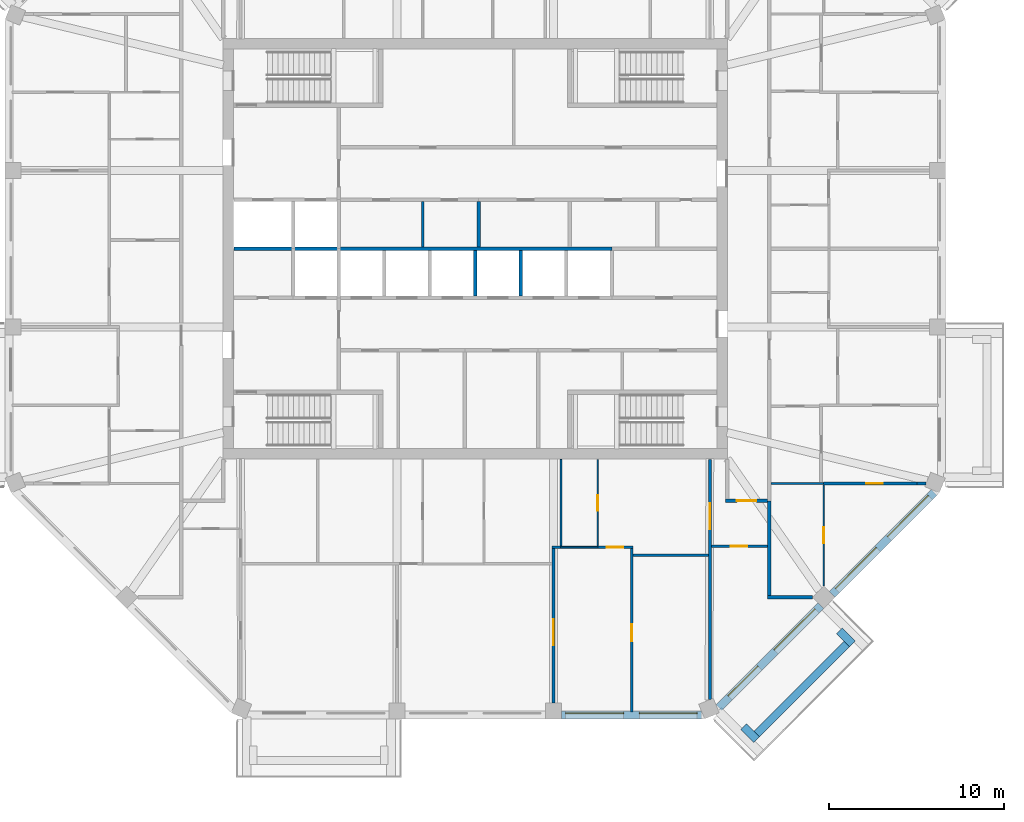
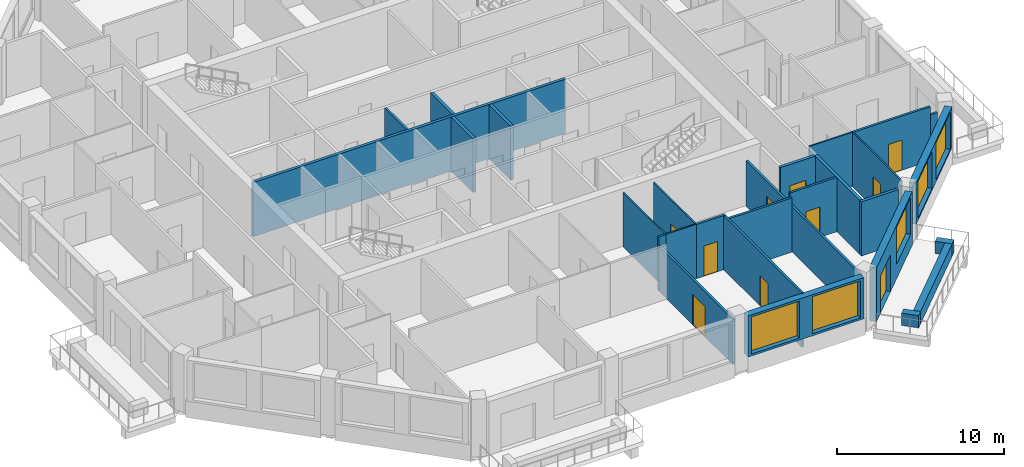
# One storey, part 5 of 11: 28 walls, 10 doors, 5 windows, 15 openings.
"""IFC4 building model written with IfcOpenShell, lengths in metres."""

from ifc_helpers import new_model, si_unit, direction, frame, frame_2d, origin, place, context, subcontext, project, spatial, rectangle, extrude, material, layer, layer_set, type_object, element, fill, save


model = new_model("IFC4")

# Units and contexts
model_context = context("Model", 3, precision=1e-05, world=origin(), true_north=direction((0.0, 1.0)))
body_context = subcontext(model_context, "Body", "Model", "MODEL_VIEW")
ifc_project = project(units=[si_unit("LENGTHUNIT", "METRE"), si_unit("AREAUNIT", "SQUARE_METRE"), si_unit("VOLUMEUNIT", "CUBIC_METRE"), si_unit("PLANEANGLEUNIT", "RADIAN"), si_unit("MASSUNIT", "GRAM", prefix="KILO")], contexts=[model_context])

# Site, building, storey
site_placement = place(None, origin())
site = spatial("IfcSite", under=ifc_project, at=site_placement, CompositionType="ELEMENT")
building_placement = place(site_placement, origin())
building = spatial("IfcBuilding", under=site, at=building_placement, Name="Msitu Wima Residences", CompositionType="ELEMENT")
storey_placement = place(building_placement, frame((0.0, 0.0, 264.300048828125)))
storey = spatial("IfcBuildingStorey", under=building, at=storey_placement, Name="L61", CompositionType="ELEMENT", Elevation=264.300048828125)

# Walls
ifc_material_1 = material(Name="Facing brick")
ifc_layer_1 = layer(ifc_material_1, 0.06494140625, Name="Facing brick")
ifc_material_2 = material(Name="Concrete C40/50", Category="concrete")
ifc_layer_2 = layer(ifc_material_2, 0.156005859375, Name="Concrete C40/50")
ifc_material_3 = material(Name="Waterproofing membrane")
ifc_layer_3 = layer(ifc_material_3, 0.00390625, Name="Waterproofing membrane")
ifc_material_4 = material(Name="Planting soil and planting")
ifc_layer_4 = layer(ifc_material_4, 0.22509765625, Name="Planting soil and planting")
ifc_layer_set_1 = layer_set([ifc_layer_1, ifc_layer_2, ifc_layer_3, ifc_layer_4], Name="Concrete C40/50")
wall_type_1 = type_object("IfcWallType", Name="Balcony planter PLANTER PL450", PredefinedType="USERDEFINED", material=ifc_layer_set_1)
wall_1_placement = place(storey_placement, frame((16.0751953125, -27.725830078125, 0.0), z_axis=(0.0, 0.0, 1.0), x_axis=(0.707106781187, 0.707106781187, 0.0)))
element("IfcWall", 1, at=wall_1_placement, inside=storey, type_object=wall_type_1, Name="Balcony planter SE0 L61", ObjectType="PLANTER", PredefinedType="USERDEFINED", context=body_context, shape_type="SweptSolid", body=[
    extrude(rectangle(XDim=7.288330078125, YDim=0.449951171875, at=frame_2d((3.64404296875, 0.0))), origin(), (0.0, 0.0, 1.0), 0.89990234375),
])
for number, where, z_axis, x_axis, name in (
    (2, (15.332763671875, -27.301513671875, 0.0), (0.0, 0.0, 1.0), (0.707106781187, -0.707106781187, 0.0), "Balcony planter SE0 L61"),
    (3, (20.804443359375, -21.829833984375, 0.0), (0.0, 0.0, 1.0), (0.707106781187, -0.707106781187, 0.0), "Balcony planter SE0 L61"),
):
    element("IfcWall", number, at=place(storey_placement, frame(where, z_axis=z_axis, x_axis=x_axis)), inside=storey, type_object=wall_type_1, Name=name, ObjectType="PLANTER", PredefinedType="USERDEFINED", context=body_context, shape_type="SweptSolid", body=[
        extrude(rectangle(XDim=1.050048828125, YDim=0.449951171875, at=frame_2d((0.52490234375, 0.0))), origin(), (0.0, 0.0, 1.0), 0.89990234375),
    ])

# Wall, openings, windows
ifc_material_5 = material(Name="Brick (red buff mix)", Category="masonry")
ifc_layer_5 = layer(ifc_material_5, 0.449951171875)
ifc_layer_set_2 = layer_set([ifc_layer_5], Name="Brick (red buff mix)")
wall_type_2 = type_object("IfcWallType", Name="Brick infill wall BW450", PredefinedType="SOLIDWALL", material=ifc_layer_set_2)
wall_2_placement = place(storey_placement, frame((4.918701171875, -26.625, 0.89990234375), z_axis=(0.0, 0.0, 1.0), x_axis=(1.0, 0.0, 0.0)))
wall_2 = element("IfcWall", 4, at=wall_2_placement, inside=storey, type_object=wall_type_2, Name="Brick infill wall L61 S2", PredefinedType="SOLIDWALL", context=body_context, shape_type="SweptSolid", body=[
    extrude(rectangle(XDim=8.0, YDim=0.449951171875, at=frame_2d((4.0, 0.0))), origin(), (0.0, 0.0, 1.0), 3.0),
])
opening_1_placement = place(wall_2_placement, frame((0.25, 0.0, 0.14990234375)))
opening_1 = element("IfcOpeningElement", 5, at=opening_1_placement, cuts=wall_2, Name="Opening W60-62.020", PredefinedType="OPENING", context=body_context, shape_type="SweptSolid", body=[
    extrude(rectangle(XDim=3.300048828125, YDim=2.699951171875, at=frame_2d((1.64990234375, 1.35009765625))), frame((0.0, 0.23486328125, 0.0), z_axis=(0.0, -1.0, 0.0), x_axis=(1.0, 0.0, 0.0)), (0.0, 0.0, 1.0), 0.469970703125),
])
opening_2_placement = place(wall_2_placement, frame((4.4501953125, 0.0, 0.14990234375)))
opening_2 = element("IfcOpeningElement", 6, at=opening_2_placement, cuts=wall_2, Name="Opening W60-62.021", PredefinedType="OPENING", context=body_context, shape_type="SweptSolid", body=[
    extrude(rectangle(XDim=3.300048828125, YDim=2.699951171875, at=frame_2d((1.64990234375, 1.35009765625))), frame((0.0, 0.23486328125, 0.0), z_axis=(0.0, -1.0, 0.0), x_axis=(1.0, 0.0, 0.0)), (0.0, 0.0, 1.0), 0.469970703125),
])
ifc_material_6 = material(Name="Anodised aluminium, bronze finish, clear low-emissivity double glazing", Category="aluminium")
window_type = type_object("IfcWindowType", Name="Window W3300x2700", PartitioningType="DOUBLE_PANEL_VERTICAL", PredefinedType="WINDOW", material=ifc_material_6)
window_1_placement = place(opening_1_placement, origin())
window_1 = element("IfcWindow", 7, at=window_1_placement, inside=storey, type_object=window_type, Name="Window L61 S2.1", OverallHeight=2.699951171875, OverallWidth=3.300048828125, PartitioningType="SINGLE_PANEL", PredefinedType="WINDOW", context=body_context, shape_type="SweptSolid", body=[
    extrude(rectangle(XDim=3.300048828125, YDim=2.699951171875, at=frame_2d((1.64990234375, 1.35009765625))), frame((0.0, 0.135009765625, 0.0), z_axis=(0.0, -1.0, 0.0), x_axis=(1.0, 0.0, 0.0)), (0.0, 0.0, 1.0), 0.06005859375),
])
fill(opening_1, window_1)
window_2_placement = place(opening_2_placement, origin())
window_2 = element("IfcWindow", 8, at=window_2_placement, inside=storey, type_object=window_type, Name="Window L61 S2.2", OverallHeight=2.699951171875, OverallWidth=3.300048828125, PartitioningType="SINGLE_PANEL", PredefinedType="WINDOW", context=body_context, shape_type="SweptSolid", body=[
    extrude(rectangle(XDim=3.300048828125, YDim=2.699951171875, at=frame_2d((1.64990234375, 1.35009765625))), frame((0.0, 0.135009765625, 0.0), z_axis=(0.0, -1.0, 0.0), x_axis=(1.0, 0.0, 0.0)), (0.0, 0.0, 1.0), 0.06005859375),
])
fill(opening_2, window_2)

# Wall, openings, door, window
wall_3_placement = place(storey_placement, frame((13.909423828125, -26.214599609375, 0.0), z_axis=(0.0, 0.0, 1.0), x_axis=(0.707106781187, 0.707106781187, 0.0)))
wall_3 = element("IfcWall", 9, at=wall_3_placement, inside=storey, type_object=wall_type_2, Name="Brick infill wall L61 SE0", PredefinedType="SOLIDWALL", context=body_context, shape_type="SweptSolid", body=[
    extrude(rectangle(XDim=8.251220703125, YDim=0.449951171875, at=frame_2d((4.12548828125, 0.0))), origin(), (0.0, 0.0, 1.0), 3.89990234375),
])
opening_3_placement = place(wall_3_placement, frame((0.86279296875, 0.0, 0.0)))
opening_3 = element("IfcOpeningElement", 10, at=opening_3_placement, cuts=wall_3, Name="Opening D60-62.006", PredefinedType="OPENING", context=body_context, shape_type="SweptSolid", body=[
    extrude(rectangle(XDim=2.39990234375, YDim=2.699951171875, at=frame_2d((1.199951171875, 1.35009765625))), frame((0.0, 0.23486328125, 0.0), z_axis=(0.0, -1.0, 0.0), x_axis=(1.0, 0.0, 0.0)), (0.0, 0.0, 1.0), 0.469970703125),
])
opening_4_placement = place(wall_3_placement, frame((4.57568359375, 0.0, 1.050048828125)))
opening_4 = element("IfcOpeningElement", 11, at=opening_4_placement, cuts=wall_3, Name="Opening W60-62.022", PredefinedType="OPENING", context=body_context, shape_type="SweptSolid", body=[
    extrude(rectangle(XDim=3.300048828125, YDim=2.699951171875, at=frame_2d((1.64990234375, 1.35009765625))), frame((0.0, 0.23486328125, 0.0), z_axis=(0.0, -1.0, 0.0), x_axis=(1.0, 0.0, 0.0)), (0.0, 0.0, 1.0), 0.469970703125),
])
door_type_1 = type_object("IfcDoorType", Name="Balcony door D2400x2700", OperationType="SLIDING_TO_LEFT", PredefinedType="DOOR", material=ifc_material_6)
door_1_placement = place(opening_3_placement, origin())
door_1 = element("IfcDoor", 12, at=door_1_placement, inside=storey, type_object=door_type_1, Name="Balcony door L61 SE0", OperationType="SINGLE_SWING_LEFT", OverallHeight=2.699951171875, OverallWidth=2.39990234375, PredefinedType="DOOR", context=body_context, shape_type="SweptSolid", body=[
    extrude(rectangle(XDim=2.39990234375, YDim=2.699951171875, at=frame_2d((1.199951171875, 1.35009765625))), frame((0.0, 0.1298828125, 0.0), z_axis=(0.0, -1.0, 0.0), x_axis=(1.0, 0.0, 0.0)), (0.0, 0.0, 1.0), 0.050048828125),
])
fill(opening_3, door_1)
window_3_placement = place(opening_4_placement, origin())
window_3 = element("IfcWindow", 13, at=window_3_placement, inside=storey, type_object=window_type, Name="Window L61 SE0.2", OverallHeight=2.699951171875, OverallWidth=3.300048828125, PartitioningType="SINGLE_PANEL", PredefinedType="WINDOW", context=body_context, shape_type="SweptSolid", body=[
    extrude(rectangle(XDim=3.300048828125, YDim=2.699951171875, at=frame_2d((1.64990234375, 1.35009765625))), frame((0.0, 0.135009765625, 0.0), z_axis=(0.0, -1.0, 0.0), x_axis=(1.0, 0.0, 0.0)), (0.0, 0.0, 1.0), 0.06005859375),
])
fill(opening_4, window_3)

# Wall, openings, windows
wall_4_placement = place(storey_placement, frame((20.380126953125, -19.743896484375, 0.89990234375), z_axis=(0.0, 0.0, 1.0), x_axis=(0.707106781187, 0.707106781187, 0.0)))
wall_4 = element("IfcWall", 14, at=wall_4_placement, inside=storey, type_object=wall_type_2, Name="Brick infill wall L61 SE1", PredefinedType="SOLIDWALL", context=body_context, shape_type="SweptSolid", body=[
    extrude(rectangle(XDim=8.251220703125, YDim=0.449951171875, at=frame_2d((4.12548828125, 0.0))), origin(), (0.0, 0.0, 1.0), 3.0),
])
opening_5_placement = place(wall_4_placement, frame((0.37548828125, 0.0, 0.14990234375)))
opening_5 = element("IfcOpeningElement", 15, at=opening_5_placement, cuts=wall_4, Name="Opening W60-62.023", PredefinedType="OPENING", context=body_context, shape_type="SweptSolid", body=[
    extrude(rectangle(XDim=3.300048828125, YDim=2.699951171875, at=frame_2d((1.64990234375, 1.35009765625))), frame((0.0, 0.23486328125, 0.0), z_axis=(0.0, -1.0, 0.0), x_axis=(1.0, 0.0, 0.0)), (0.0, 0.0, 1.0), 0.469970703125),
])
opening_6_placement = place(wall_4_placement, frame((4.57568359375, 0.0, 0.14990234375)))
opening_6 = element("IfcOpeningElement", 16, at=opening_6_placement, cuts=wall_4, Name="Opening W60-62.024", PredefinedType="OPENING", context=body_context, shape_type="SweptSolid", body=[
    extrude(rectangle(XDim=3.300048828125, YDim=2.699951171875, at=frame_2d((1.64990234375, 1.35009765625))), frame((0.0, 0.23486328125, 0.0), z_axis=(0.0, -1.0, 0.0), x_axis=(1.0, 0.0, 0.0)), (0.0, 0.0, 1.0), 0.469970703125),
])
window_4_placement = place(opening_5_placement, origin())
window_4 = element("IfcWindow", 17, at=window_4_placement, inside=storey, type_object=window_type, Name="Window L61 SE1.1", OverallHeight=2.699951171875, OverallWidth=3.300048828125, PartitioningType="SINGLE_PANEL", PredefinedType="WINDOW", context=body_context, shape_type="SweptSolid", body=[
    extrude(rectangle(XDim=3.300048828125, YDim=2.699951171875, at=frame_2d((1.64990234375, 1.35009765625))), frame((0.0, 0.135009765625, 0.0), z_axis=(0.0, -1.0, 0.0), x_axis=(1.0, 0.0, 0.0)), (0.0, 0.0, 1.0), 0.06005859375),
])
fill(opening_5, window_4)
window_5_placement = place(opening_6_placement, origin())
window_5 = element("IfcWindow", 18, at=window_5_placement, inside=storey, type_object=window_type, Name="Window L61 SE1.2", OverallHeight=2.699951171875, OverallWidth=3.300048828125, PartitioningType="SINGLE_PANEL", PredefinedType="WINDOW", context=body_context, shape_type="SweptSolid", body=[
    extrude(rectangle(XDim=3.300048828125, YDim=2.699951171875, at=frame_2d((1.64990234375, 1.35009765625))), frame((0.0, 0.135009765625, 0.0), z_axis=(0.0, -1.0, 0.0), x_axis=(1.0, 0.0, 0.0)), (0.0, 0.0, 1.0), 0.06005859375),
])
fill(opening_6, window_5)

# Wall, opening, door
ifc_material_7 = material(Name="Plaster")
ifc_layer_6 = layer(ifc_material_7, 0.011962890625, Name="Plaster")
ifc_material_8 = material(Name="Concrete blockwork", Category="masonry")
ifc_layer_7 = layer(ifc_material_8, 0.176025390625, Name="Concrete blockwork")
ifc_layer_8 = layer(ifc_material_7, 0.011962890625, Name="Plaster")
ifc_layer_set_3 = layer_set([ifc_layer_6, ifc_layer_7, ifc_layer_8], Name="Concrete blockwork")
wall_type_3 = type_object("IfcWallType", Name="Corridor wall FW200", PredefinedType="PARTITIONING", material=ifc_layer_set_3)
wall_5_placement = place(storey_placement, frame((14.300048828125, -14.39990234375, 0.0), z_axis=(0.0, 0.0, 1.0), x_axis=(1.0, 0.0, 0.0)))
wall_5 = element("IfcWall", 19, at=wall_5_placement, inside=storey, type_object=wall_type_3, Name="Corridor wall", PredefinedType="PARTITIONING", context=body_context, shape_type="SweptSolid", body=[
    extrude(rectangle(XDim=2.39990234375, YDim=0.199951171875, at=frame_2d((1.199951171875, 0.0))), origin(), (0.0, 0.0, 1.0), 3.949951171875),
])
opening_7_placement = place(wall_5_placement, frame((0.64990234375, 0.0, 0.0)))
opening_7 = element("IfcOpeningElement", 20, at=opening_7_placement, cuts=wall_5, Name="Opening D60-62.051", PredefinedType="OPENING", context=body_context, shape_type="SweptSolid", body=[
    extrude(rectangle(XDim=1.10009765625, YDim=2.39990234375, at=frame_2d((0.550048828125, 1.199951171875))), frame((0.0, 0.10986328125, 0.0), z_axis=(0.0, -1.0, 0.0), x_axis=(1.0, 0.0, 0.0)), (0.0, 0.0, 1.0), 0.219970703125),
])
ifc_material_9 = material(Name="Timber flush door, fire resisting, self-closing", Category="wood")
door_type_2 = type_object("IfcDoorType", Name="Flat entrance door D01 1100x2400", OperationType="SINGLE_SWING_LEFT", PredefinedType="DOOR", material=ifc_material_9)
door_2_placement = place(opening_7_placement, origin())
door_2 = element("IfcDoor", 21, at=door_2_placement, inside=storey, type_object=door_type_2, Name="Flat entrance door", OperationType="SINGLE_SWING_LEFT", OverallHeight=2.39990234375, OverallWidth=1.10009765625, PredefinedType="DOOR", context=body_context, shape_type="SweptSolid", body=[
    extrude(rectangle(XDim=1.10009765625, YDim=2.39990234375, at=frame_2d((0.550048828125, 1.199951171875))), frame((0.0, 0.02490234375, 0.0), z_axis=(0.0, -1.0, 0.0), x_axis=(1.0, 0.0, 0.0)), (0.0, 0.0, 1.0), 0.050048828125),
])
fill(opening_7, door_2)

# Wall
ifc_layer_9 = layer(ifc_material_7, 0.011962890625, Name="Plaster")
ifc_layer_10 = layer(ifc_material_8, 0.1259765625, Name="Concrete blockwork")
ifc_layer_11 = layer(ifc_material_7, 0.011962890625, Name="Plaster")
ifc_layer_set_4 = layer_set([ifc_layer_9, ifc_layer_10, ifc_layer_11], Name="Concrete blockwork")
wall_type_4 = type_object("IfcWallType", Name="Partition PW150", PredefinedType="PARTITIONING", material=ifc_layer_set_4)
wall_6_placement = place(storey_placement, frame((-3.0, 0.10009765625, 0.0), z_axis=(0.0, 0.0, 1.0), x_axis=(0.0, 1.0, 0.0)))
element("IfcWall", 22, at=wall_6_placement, inside=storey, type_object=wall_type_4, Name="Partition", PredefinedType="PARTITIONING", context=body_context, shape_type="SweptSolid", body=[
    extrude(rectangle(XDim=2.599853515625, YDim=0.14990234375, at=frame_2d((1.2998046875, 0.0))), origin(), (0.0, 0.0, 1.0), 3.949951171875),
])

# Wall, opening, door
wall_7_placement = place(storey_placement, frame((4.46875, -25.949951171875, 0.0), z_axis=(0.0, 0.0, 1.0), x_axis=(0.0, 1.0, 0.0)))
wall_7 = element("IfcWall", 23, at=wall_7_placement, inside=storey, type_object=wall_type_4, Name="Partition", PredefinedType="PARTITIONING", context=body_context, shape_type="SweptSolid", body=[
    extrude(rectangle(XDim=8.824951171875, YDim=0.14990234375, at=frame_2d((4.41259765625, 0.0))), origin(), (0.0, 0.0, 1.0), 3.300048828125),
])
opening_8_placement = place(wall_7_placement, frame((3.300048828125, 0.0, 0.0)))
opening_8 = element("IfcOpeningElement", 24, at=opening_8_placement, cuts=wall_7, Name="Opening D60-62.061", PredefinedType="OPENING", context=body_context, shape_type="SweptSolid", body=[
    extrude(rectangle(XDim=1.5, YDim=2.199951171875, at=frame_2d((0.75, 1.10009765625))), frame((0.0, 0.0849609375, 0.0), z_axis=(0.0, -1.0, 0.0), x_axis=(1.0, 0.0, 0.0)), (0.0, 0.0, 1.0), 0.169921875),
])
ifc_material_10 = material(Name="Timber double door", Category="wood")
door_type_3 = type_object("IfcDoorType", Name="Double door D04 1500x2200", OperationType="DOUBLE_DOOR_SINGLE_SWING", PredefinedType="DOOR", material=ifc_material_10)
door_3_placement = place(opening_8_placement, origin())
door_3 = element("IfcDoor", 25, at=door_3_placement, inside=storey, type_object=door_type_3, Name="Double door", OperationType="DOUBLE_DOOR_SINGLE_SWING", OverallHeight=2.199951171875, OverallWidth=1.5, PredefinedType="DOOR", context=body_context, shape_type="SweptSolid", body=[
    extrude(rectangle(XDim=1.5, YDim=2.199951171875, at=frame_2d((0.75, 1.10009765625))), frame((0.0, 0.02490234375, 0.0), z_axis=(0.0, -1.0, 0.0), x_axis=(1.0, 0.0, 0.0)), (0.0, 0.0, 1.0), 0.050048828125),
])
fill(opening_8, door_3)

# Wall
wall_8_placement = place(storey_placement, frame((4.3935546875, -17.050048828125, 0.0), z_axis=(0.0, 0.0, 1.0), x_axis=(1.0, 0.0, 0.0)))
element("IfcWall", 26, at=wall_8_placement, inside=storey, type_object=wall_type_4, Name="Partition", PredefinedType="PARTITIONING", context=body_context, shape_type="SweptSolid", body=[
    extrude(rectangle(XDim=0.486328125, YDim=0.14990234375, at=frame_2d((0.2431640625, 0.0))), origin(), (0.0, 0.0, 1.0), 3.949951171875),
])

# Wall, opening, door
wall_9_placement = place(storey_placement, frame((7.0, -17.050048828125, 0.0), z_axis=(0.0, 0.0, 1.0), x_axis=(1.0, 0.0, 0.0)))
wall_9 = element("IfcWall", 27, at=wall_9_placement, inside=storey, type_object=wall_type_4, Name="Partition", PredefinedType="PARTITIONING", context=body_context, shape_type="SweptSolid", body=[
    extrude(rectangle(XDim=2.01220703125, YDim=0.14990234375, at=frame_2d((1.006103515625, 0.0))), origin(), (0.0, 0.0, 1.0), 3.949951171875),
])
opening_9_placement = place(wall_9_placement, frame((0.5, 0.0, 0.0)))
opening_9 = element("IfcOpeningElement", 28, at=opening_9_placement, cuts=wall_9, Name="Opening D60-62.057", PredefinedType="OPENING", context=body_context, shape_type="SweptSolid", body=[
    extrude(rectangle(XDim=0.949951171875, YDim=2.199951171875, at=frame_2d((0.47509765625, 1.10009765625))), frame((0.0, 0.0849609375, 0.0), z_axis=(0.0, -1.0, 0.0), x_axis=(1.0, 0.0, 0.0)), (0.0, 0.0, 1.0), 0.169921875),
])
ifc_material_11 = material(Name="Timber flush door", Category="wood")
door_type_4 = type_object("IfcDoorType", Name="Room door D12 950x2200", OperationType="SINGLE_SWING_LEFT", PredefinedType="DOOR", material=ifc_material_11)
door_4_placement = place(opening_9_placement, origin())
door_4 = element("IfcDoor", 29, at=door_4_placement, inside=storey, type_object=door_type_4, Name="Room door", OperationType="SINGLE_SWING_LEFT", OverallHeight=2.199951171875, OverallWidth=0.949951171875, PredefinedType="DOOR", context=body_context, shape_type="SweptSolid", body=[
    extrude(rectangle(XDim=0.949951171875, YDim=2.199951171875, at=frame_2d((0.47509765625, 1.10009765625))), frame((0.0, 0.02490234375, 0.0), z_axis=(0.0, -1.0, 0.0), x_axis=(1.0, 0.0, 0.0)), (0.0, 0.0, 1.0), 0.050048828125),
])
fill(opening_9, door_4)

wall_10_placement = place(storey_placement, frame((8.937255859375, -26.455078125, 0.0), z_axis=(0.0, 0.0, 1.0), x_axis=(0.0, 1.0, 0.0)))
wall_10 = element("IfcWall", 30, at=wall_10_placement, inside=storey, type_object=wall_type_4, Name="Partition", PredefinedType="PARTITIONING", context=body_context, shape_type="SweptSolid", body=[
    extrude(rectangle(XDim=9.330078125, YDim=0.14990234375, at=frame_2d((4.6650390625, 0.0))), origin(), (0.0, 0.0, 1.0), 3.949951171875),
])
opening_10_placement = place(wall_10_placement, frame((4.050048828125, 0.0, 0.0)))
opening_10 = element("IfcOpeningElement", 31, at=opening_10_placement, cuts=wall_10, Name="Opening D60-62.058", PredefinedType="OPENING", context=body_context, shape_type="SweptSolid", body=[
    extrude(rectangle(XDim=0.949951171875, YDim=2.199951171875, at=frame_2d((0.47509765625, 1.10009765625))), frame((0.0, 0.0849609375, 0.0), z_axis=(0.0, -1.0, 0.0), x_axis=(1.0, 0.0, 0.0)), (0.0, 0.0, 1.0), 0.169921875),
])
door_5_placement = place(opening_10_placement, origin())
door_5 = element("IfcDoor", 32, at=door_5_placement, inside=storey, type_object=door_type_4, Name="Room door", OperationType="SINGLE_SWING_LEFT", OverallHeight=2.199951171875, OverallWidth=0.949951171875, PredefinedType="DOOR", context=body_context, shape_type="SweptSolid", body=[
    extrude(rectangle(XDim=0.949951171875, YDim=2.199951171875, at=frame_2d((0.47509765625, 1.10009765625))), frame((0.0, 0.02490234375, 0.0), z_axis=(0.0, -1.0, 0.0), x_axis=(1.0, 0.0, 0.0)), (0.0, 0.0, 1.0), 0.050048828125),
])
fill(opening_10, door_5)

# Wall
wall_11_placement = place(storey_placement, frame((9.01220703125, -17.5, 0.0), z_axis=(0.0, 0.0, 1.0), x_axis=(1.0, 0.0, 0.0)))
element("IfcWall", 33, at=wall_11_placement, inside=storey, type_object=wall_type_4, Name="Partition", PredefinedType="PARTITIONING", context=body_context, shape_type="SweptSolid", body=[
    extrude(rectangle(XDim=4.318603515625, YDim=0.14990234375, at=frame_2d((2.1591796875, 0.0))), origin(), (0.0, 0.0, 1.0), 3.949951171875),
])

# Wall, opening, door
wall_12_placement = place(storey_placement, frame((13.406005859375, -25.731201171875, 0.0), z_axis=(0.0, 0.0, 1.0), x_axis=(0.0, 1.0, 0.0)))
wall_12 = element("IfcWall", 34, at=wall_12_placement, inside=storey, type_object=wall_type_4, Name="Partition", PredefinedType="PARTITIONING", context=body_context, shape_type="SweptSolid", body=[
    extrude(rectangle(XDim=13.701171875, YDim=0.14990234375, at=frame_2d((6.8505859375, 0.0))), origin(), (0.0, 0.0, 1.0), 3.300048828125),
])
opening_11_placement = place(wall_12_placement, frame((9.699951171875, 0.0, 0.0)))
opening_11 = element("IfcOpeningElement", 35, at=opening_11_placement, cuts=wall_12, Name="Opening D60-62.052", PredefinedType="OPENING", context=body_context, shape_type="SweptSolid", body=[
    extrude(rectangle(XDim=1.5, YDim=2.199951171875, at=frame_2d((0.75, 1.10009765625))), frame((0.0, 0.0849609375, 0.0), z_axis=(0.0, -1.0, 0.0), x_axis=(1.0, 0.0, 0.0)), (0.0, 0.0, 1.0), 0.169921875),
])
door_6_placement = place(opening_11_placement, origin())
door_6 = element("IfcDoor", 36, at=door_6_placement, inside=storey, type_object=door_type_3, Name="Double door", OperationType="DOUBLE_DOOR_SINGLE_SWING", OverallHeight=2.199951171875, OverallWidth=1.5, PredefinedType="DOOR", context=body_context, shape_type="SweptSolid", body=[
    extrude(rectangle(XDim=1.5, YDim=2.199951171875, at=frame_2d((0.75, 1.10009765625))), frame((0.0, 0.02490234375, 0.0), z_axis=(0.0, -1.0, 0.0), x_axis=(1.0, 0.0, 0.0)), (0.0, 0.0, 1.0), 0.050048828125),
])
fill(opening_11, door_6)

wall_13_placement = place(storey_placement, frame((13.48095703125, -17.0, 0.0), z_axis=(0.0, 0.0, 1.0), x_axis=(1.0, 0.0, 0.0)))
wall_13 = element("IfcWall", 37, at=wall_13_placement, inside=storey, type_object=wall_type_4, Name="Partition", PredefinedType="PARTITIONING", context=body_context, shape_type="SweptSolid", body=[
    extrude(rectangle(XDim=3.218994140625, YDim=0.14990234375, at=frame_2d((1.609375, 0.0))), origin(), (0.0, 0.0, 1.0), 3.949951171875),
])
opening_12_placement = place(wall_13_placement, frame((1.10009765625, 0.0, 0.0)))
opening_12 = element("IfcOpeningElement", 38, at=opening_12_placement, cuts=wall_13, Name="Opening D60-62.059", PredefinedType="OPENING", context=body_context, shape_type="SweptSolid", body=[
    extrude(rectangle(XDim=0.949951171875, YDim=2.199951171875, at=frame_2d((0.47509765625, 1.10009765625))), frame((0.0, 0.0849609375, 0.0), z_axis=(0.0, -1.0, 0.0), x_axis=(1.0, 0.0, 0.0)), (0.0, 0.0, 1.0), 0.169921875),
])
door_7_placement = place(opening_12_placement, origin())
door_7 = element("IfcDoor", 39, at=door_7_placement, inside=storey, type_object=door_type_4, Name="Room door", OperationType="SINGLE_SWING_RIGHT", OverallHeight=2.199951171875, OverallWidth=0.949951171875, PredefinedType="DOOR", context=body_context, shape_type="SweptSolid", body=[
    extrude(rectangle(XDim=0.949951171875, YDim=2.199951171875, at=frame_2d((0.47509765625, 1.10009765625))), frame((0.0, 0.02490234375, 0.0), z_axis=(0.0, -1.0, 0.0), x_axis=(1.0, 0.0, 0.0)), (0.0, 0.0, 1.0), 0.050048828125),
])
fill(opening_12, door_7)

wall_14_placement = place(storey_placement, frame((19.883056640625, -13.406005859375, 0.0), z_axis=(0.0, 0.0, 1.0), x_axis=(1.0, 0.0, 0.0)))
wall_14 = element("IfcWall", 40, at=wall_14_placement, inside=storey, type_object=wall_type_4, Name="Partition", PredefinedType="PARTITIONING", context=body_context, shape_type="SweptSolid", body=[
    extrude(rectangle(XDim=5.341064453125, YDim=0.14990234375, at=frame_2d((2.67041015625, 0.0))), origin(), (0.0, 0.0, 1.0), 3.949951171875),
])
opening_13_placement = place(wall_14_placement, frame((2.449951171875, 0.0, 0.0)))
opening_13 = element("IfcOpeningElement", 41, at=opening_13_placement, cuts=wall_14, Name="Opening D60-62.014", PredefinedType="OPENING", context=body_context, shape_type="SweptSolid", body=[
    extrude(rectangle(XDim=0.949951171875, YDim=2.199951171875, at=frame_2d((0.47509765625, 1.10009765625))), frame((0.0, 0.0849609375, 0.0), z_axis=(0.0, -1.0, 0.0), x_axis=(1.0, 0.0, 0.0)), (0.0, 0.0, 1.0), 0.169921875),
])
door_8_placement = place(opening_13_placement, origin())
door_8 = element("IfcDoor", 42, at=door_8_placement, inside=storey, type_object=door_type_4, Name="Room door", OperationType="SINGLE_SWING_LEFT", OverallHeight=2.199951171875, OverallWidth=0.949951171875, PredefinedType="DOOR", context=body_context, shape_type="SweptSolid", body=[
    extrude(rectangle(XDim=0.949951171875, YDim=2.199951171875, at=frame_2d((0.47509765625, 1.10009765625))), frame((0.0, 0.02490234375, 0.0), z_axis=(0.0, -1.0, 0.0), x_axis=(1.0, 0.0, 0.0)), (0.0, 0.0, 1.0), 0.050048828125),
])
fill(opening_13, door_8)

# Walls
wall_15_placement = place(storey_placement, frame((25.22412109375, -13.406005859375, 0.0), z_axis=(0.0, 0.0, 1.0), x_axis=(1.0, 0.0, 0.0)))
element("IfcWall", 43, at=wall_15_placement, inside=storey, type_object=wall_type_4, Name="Partition", PredefinedType="PARTITIONING", context=body_context, shape_type="SweptSolid", body=[
    extrude(rectangle(XDim=0.507080078125, YDim=0.14990234375, at=frame_2d((0.25341796875, 0.0))), origin(), (0.0, 0.0, 1.0), 3.349853515625),
])
ifc_layer_12 = layer(ifc_material_7, 0.011962890625, Name="Plaster")
ifc_material_12 = material(Name="Dense concrete blockwork", Category="masonry")
ifc_layer_13 = layer(ifc_material_12, 0.176025390625, Name="Dense concrete blockwork")
ifc_layer_14 = layer(ifc_material_7, 0.011962890625, Name="Plaster")
ifc_layer_set_5 = layer_set([ifc_layer_12, ifc_layer_13, ifc_layer_14], Name="Dense concrete blockwork")
wall_type_5 = type_object("IfcWallType", Name="Party wall PW200", PredefinedType="PARTITIONING", material=ifc_layer_set_5)
wall_16_placement = place(storey_placement, frame((16.800048828125, -19.802978515625, 0.0), z_axis=(0.0, 0.0, 1.0), x_axis=(0.0, 1.0, 0.0)))
element("IfcWall", 44, at=wall_16_placement, inside=storey, type_object=wall_type_5, Name="Party wall", PredefinedType="PARTITIONING", context=body_context, shape_type="SweptSolid", body=[
    extrude(rectangle(XDim=5.403076171875, YDim=0.199951171875, at=frame_2d((2.70166015625, 0.0))), origin(), (0.0, 0.0, 1.0), 3.949951171875),
])
wall_17_placement = place(storey_placement, frame((16.699951171875, -19.90283203125, 0.0), z_axis=(0.0, 0.0, 1.0), x_axis=(1.0, 0.0, 0.0)))
element("IfcWall", 45, at=wall_17_placement, inside=storey, type_object=wall_type_5, Name="Party wall", PredefinedType="PARTITIONING", context=body_context, shape_type="SweptSolid", body=[
    extrude(rectangle(XDim=2.566650390625, YDim=0.199951171875, at=frame_2d((1.283203125, 0.0))), origin(), (0.0, 0.0, 1.0), 3.949951171875),
])
ifc_layer_15 = layer(ifc_material_7, 0.011962890625, Name="Plaster")
ifc_material_13 = material(Name="Reinforced concrete blockwork", Category="masonry")
ifc_layer_16 = layer(ifc_material_13, 0.176025390625, Name="Reinforced concrete blockwork")
ifc_layer_17 = layer(ifc_material_7, 0.011962890625, Name="Plaster")
ifc_layer_set_6 = layer_set([ifc_layer_15, ifc_layer_16, ifc_layer_17], Name="Reinforced concrete blockwork")
wall_type_6 = type_object("IfcWallType", Name="Plant and riser wall PL200", PredefinedType="PARTITIONING", material=ifc_layer_set_6)
wall_18_placement = place(storey_placement, frame((0.199951171875, 0.10009765625, 0.0), z_axis=(0.0, 0.0, 1.0), x_axis=(0.0, 1.0, 0.0)))
element("IfcWall", 46, at=wall_18_placement, inside=storey, type_object=wall_type_6, Name="Plant and riser wall", PredefinedType="PARTITIONING", context=body_context, shape_type="SweptSolid", body=[
    extrude(rectangle(XDim=2.599853515625, YDim=0.199951171875, at=frame_2d((1.2998046875, 0.0))), origin(), (0.0, 0.0, 1.0), 3.949951171875),
])
ifc_material_14 = material(Name="Fire-rated board")
ifc_layer_18 = layer(ifc_material_14, 0.02490234375, Name="Fire-rated board")
ifc_material_15 = material(Name="Light-gauge stud framing with mineral wool")
ifc_layer_19 = layer(ifc_material_15, 0.14990234375, Name="Light-gauge stud framing with mineral wool")
ifc_layer_20 = layer(ifc_material_14, 0.02490234375, Name="Fire-rated board")
ifc_layer_set_7 = layer_set([ifc_layer_18, ifc_layer_19, ifc_layer_20], Name="Light-gauge stud framing with mineral wool")
wall_type_7 = type_object("IfcWallType", Name="Shaft wall SH200", PredefinedType="PARTITIONING", material=ifc_layer_set_7)
wall_19_placement = place(storey_placement, frame((-13.77001953125, 0.0, 0.0), z_axis=(0.0, 0.0, 1.0), x_axis=(1.0, 0.0, 0.0)))
element("IfcWall", 47, at=wall_19_placement, inside=storey, type_object=wall_type_7, Name="Shaft wall", PredefinedType="PARTITIONING", context=body_context, shape_type="SweptSolid", body=[
    extrude(rectangle(XDim=21.570068359375, YDim=0.199951171875, at=frame_2d((10.78515625, 0.0))), origin(), (0.0, 0.0, 1.0), 3.949951171875),
])
for number, where, z_axis, x_axis, name in (
    (48, (0.0, -2.699951171875, 0.0), (0.0, 0.0, 1.0), (0.0, 1.0, 0.0), "Shaft wall"),
    (49, (2.60009765625, -2.699951171875, 0.0), (0.0, 0.0, 1.0), (0.0, 1.0, 0.0), "Shaft wall"),
):
    element("IfcWall", number, at=place(storey_placement, frame(where, z_axis=z_axis, x_axis=x_axis)), inside=storey, type_object=wall_type_7, Name=name, PredefinedType="PARTITIONING", context=body_context, shape_type="SweptSolid", body=[
        extrude(rectangle(XDim=2.599853515625, YDim=0.199951171875, at=frame_2d((1.2998046875, 0.0))), origin(), (0.0, 0.0, 1.0), 3.949951171875),
    ])
ifc_material_16 = material(Name="Ceramic tiles")
ifc_layer_21 = layer(ifc_material_16, 0.008056640625, Name="Ceramic tiles")
ifc_material_17 = material(Name="Moisture-resistant board")
ifc_layer_22 = layer(ifc_material_17, 0.012451171875, Name="Moisture-resistant board")
ifc_layer_23 = layer(ifc_material_15, 0.06689453125, Name="Light-gauge stud framing with mineral wool")
ifc_layer_24 = layer(ifc_material_17, 0.012451171875, Name="Moisture-resistant board")
ifc_layer_set_8 = layer_set([ifc_layer_21, ifc_layer_22, ifc_layer_23, ifc_layer_24], Name="Light-gauge stud framing with mineral wool")
wall_type_8 = type_object("IfcWallType", Name="Wet wall PW100", PredefinedType="PARTITIONING", material=ifc_layer_set_8)
wall_20_placement = place(storey_placement, frame((4.8798828125, -17.050048828125, 0.0), z_axis=(0.0, 0.0, 1.0), x_axis=(1.0, 0.0, 0.0)))
element("IfcWall", 50, at=wall_20_placement, inside=storey, type_object=wall_type_8, Name="Wet wall", PredefinedType="PARTITIONING", context=body_context, shape_type="SweptSolid", body=[
    extrude(rectangle(XDim=2.1201171875, YDim=0.10009765625, at=frame_2d((1.06005859375, 0.0))), origin(), (0.0, 0.0, 1.0), 3.949951171875),
])
wall_21_placement = place(storey_placement, frame((4.89990234375, -16.97509765625, 0.0), z_axis=(0.0, 0.0, 1.0), x_axis=(0.0, 1.0, 0.0)))
element("IfcWall", 51, at=wall_21_placement, inside=storey, type_object=wall_type_8, Name="Wet wall", PredefinedType="PARTITIONING", context=body_context, shape_type="SweptSolid", body=[
    extrude(rectangle(XDim=4.945068359375, YDim=0.10009765625, at=frame_2d((2.47265625, 0.0))), origin(), (0.0, 0.0, 1.0), 3.949951171875),
])

# Wall, opening, door
wall_22_placement = place(storey_placement, frame((7.0, -16.97509765625, 0.0), z_axis=(0.0, 0.0, 1.0), x_axis=(0.0, 1.0, 0.0)))
wall_22 = element("IfcWall", 52, at=wall_22_placement, inside=storey, type_object=wall_type_8, Name="Wet wall", PredefinedType="PARTITIONING", context=body_context, shape_type="SweptSolid", body=[
    extrude(rectangle(XDim=4.945068359375, YDim=0.10009765625, at=frame_2d((2.47265625, 0.0))), origin(), (0.0, 0.0, 1.0), 3.949951171875),
])
opening_14_placement = place(wall_22_placement, frame((2.0, 0.0, 0.0)))
opening_14 = element("IfcOpeningElement", 53, at=opening_14_placement, cuts=wall_22, Name="Opening D60-62.060", PredefinedType="OPENING", context=body_context, shape_type="SweptSolid", body=[
    extrude(rectangle(XDim=0.89990234375, YDim=2.199951171875, at=frame_2d((0.449951171875, 1.10009765625))), frame((0.0, 0.06005859375, 0.0), z_axis=(0.0, -1.0, 0.0), x_axis=(1.0, 0.0, 0.0)), (0.0, 0.0, 1.0), 0.1201171875),
])
ifc_material_18 = material(Name="Timber flush door, moisture resistant", Category="wood")
door_type_5 = type_object("IfcDoorType", Name="Bathroom door D03 900x2200", OperationType="SINGLE_SWING_LEFT", PredefinedType="DOOR", material=ifc_material_18)
door_9_placement = place(opening_14_placement, origin())
door_9 = element("IfcDoor", 54, at=door_9_placement, inside=storey, type_object=door_type_5, Name="Bathroom door", OperationType="SINGLE_SWING_LEFT", OverallHeight=2.199951171875, OverallWidth=0.89990234375, PredefinedType="DOOR", context=body_context, shape_type="SweptSolid", body=[
    extrude(rectangle(XDim=0.89990234375, YDim=2.199951171875, at=frame_2d((0.449951171875, 1.10009765625))), frame((0.0, 0.02490234375, 0.0), z_axis=(0.0, -1.0, 0.0), x_axis=(1.0, 0.0, 0.0)), (0.0, 0.0, 1.0), 0.050048828125),
])
fill(opening_14, door_9)

# Wall
wall_23_placement = place(storey_placement, frame((16.89990234375, -13.406005859375, 0.0), z_axis=(0.0, 0.0, 1.0), x_axis=(1.0, 0.0, 0.0)))
element("IfcWall", 55, at=wall_23_placement, inside=storey, type_object=wall_type_8, Name="Wet wall", PredefinedType="PARTITIONING", context=body_context, shape_type="SweptSolid", body=[
    extrude(rectangle(XDim=2.983154296875, YDim=0.10009765625, at=frame_2d((1.49169921875, 0.0))), origin(), (0.0, 0.0, 1.0), 3.949951171875),
])

# Wall, opening, door
wall_24_placement = place(storey_placement, frame((19.90283203125, -19.2666015625, 0.0), z_axis=(0.0, 0.0, 1.0), x_axis=(0.0, 1.0, 0.0)))
wall_24 = element("IfcWall", 56, at=wall_24_placement, inside=storey, type_object=wall_type_8, Name="Wet wall", PredefinedType="PARTITIONING", context=body_context, shape_type="SweptSolid", body=[
    extrude(rectangle(XDim=5.78564453125, YDim=0.10009765625, at=frame_2d((2.892822265625, 0.0))), origin(), (0.0, 0.0, 1.0), 3.949951171875),
])
opening_15_placement = place(wall_24_placement, frame((2.449951171875, 0.0, 0.0)))
opening_15 = element("IfcOpeningElement", 57, at=opening_15_placement, cuts=wall_24, Name="Opening D60-62.015", PredefinedType="OPENING", context=body_context, shape_type="SweptSolid", body=[
    extrude(rectangle(XDim=0.89990234375, YDim=2.199951171875, at=frame_2d((0.449951171875, 1.10009765625))), frame((0.0, 0.06005859375, 0.0), z_axis=(0.0, -1.0, 0.0), x_axis=(1.0, 0.0, 0.0)), (0.0, 0.0, 1.0), 0.1201171875),
])
door_10_placement = place(opening_15_placement, origin())
door_10 = element("IfcDoor", 58, at=door_10_placement, inside=storey, type_object=door_type_5, Name="Bathroom door", OperationType="SINGLE_SWING_RIGHT", OverallHeight=2.199951171875, OverallWidth=0.89990234375, PredefinedType="DOOR", context=body_context, shape_type="SweptSolid", body=[
    extrude(rectangle(XDim=0.89990234375, YDim=2.199951171875, at=frame_2d((0.449951171875, 1.10009765625))), frame((0.0, 0.02490234375, 0.0), z_axis=(0.0, -1.0, 0.0), x_axis=(1.0, 0.0, 0.0)), (0.0, 0.0, 1.0), 0.050048828125),
])
fill(opening_15, door_10)

save(model, "model.ifc")
